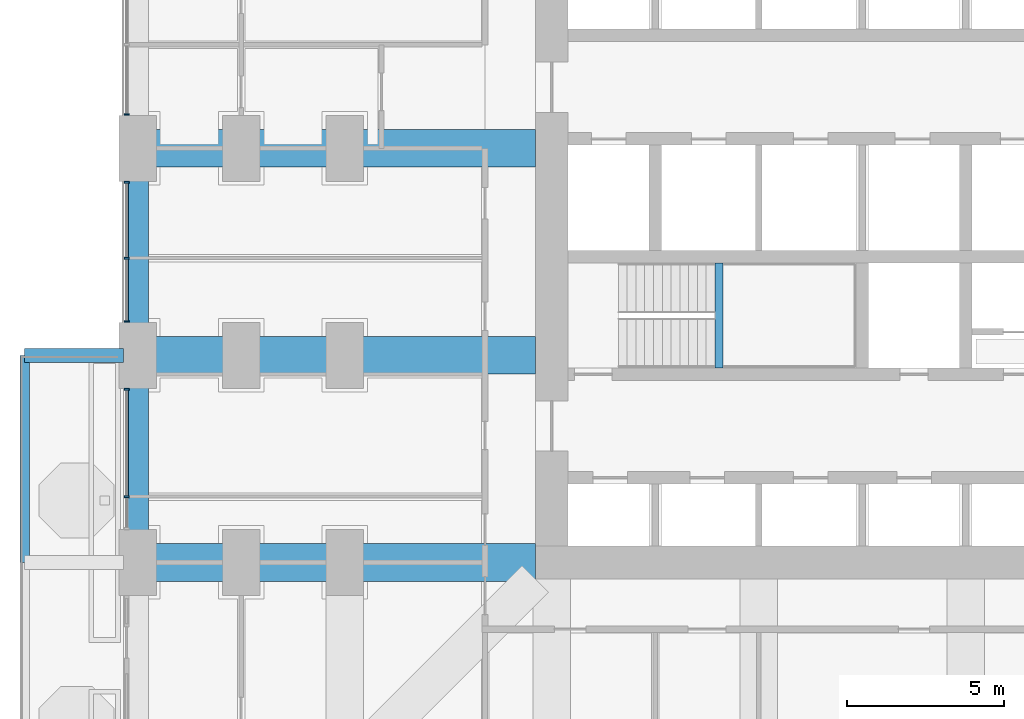
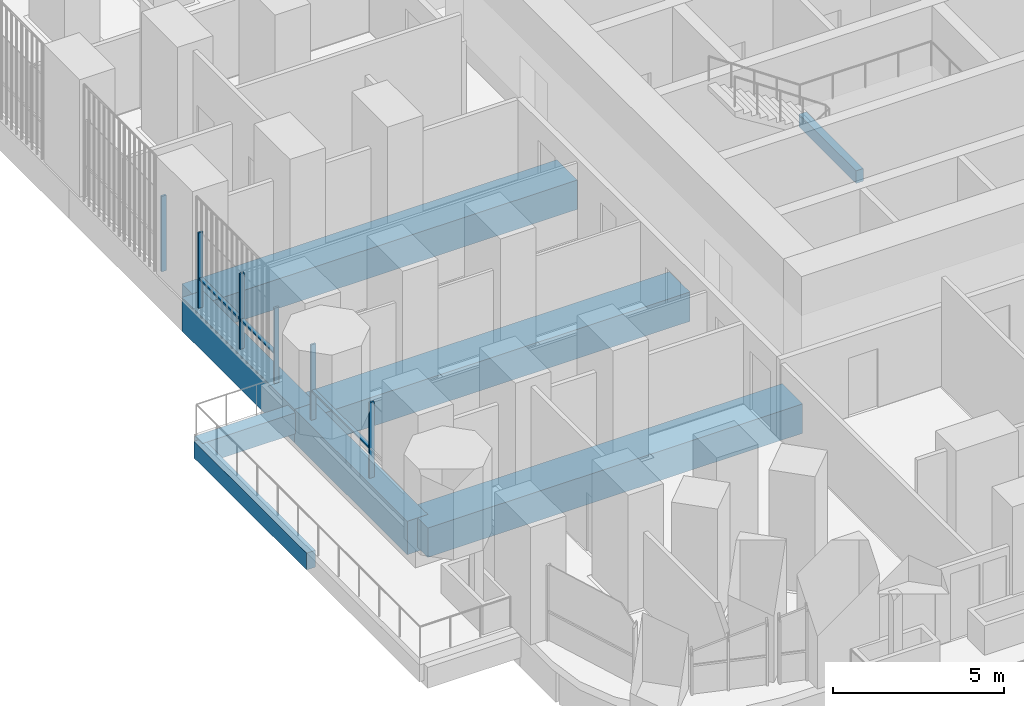
# One storey, part 4 of 27: 9 members, 8 beams, 3 elements without a shape of their own.
"""IFC4 building model written with IfcOpenShell, lengths in metres."""

from ifc_helpers import new_model, si_unit, direction, frame, origin, origin_2d, place, context, subcontext, project, spatial, rectangle, extrude, material, material_profile, profile_set, type_object, element, aggregate, save


model = new_model("IFC4")

# Units and contexts
model_context = context("Model", 3, precision=1e-05, world=origin(), true_north=direction((0.0, 1.0)))
body_context = subcontext(model_context, "Body", "Model", "MODEL_VIEW")
ifc_project = project(units=[si_unit("LENGTHUNIT", "METRE"), si_unit("AREAUNIT", "SQUARE_METRE"), si_unit("VOLUMEUNIT", "CUBIC_METRE"), si_unit("PLANEANGLEUNIT", "RADIAN"), si_unit("MASSUNIT", "GRAM", prefix="KILO")], contexts=[model_context])

# Site, building, storey
site_placement = place(None, origin())
site = spatial("IfcSite", under=ifc_project, at=site_placement, CompositionType="ELEMENT")
building_placement = place(site_placement, origin())
building = spatial("IfcBuilding", under=site, at=building_placement, Name="Cobogo Forest Laboratory Tower", CompositionType="ELEMENT")
storey_placement = place(building_placement, frame((0.0, 0.0, 46.5)))
storey = spatial("IfcBuildingStorey", under=building, at=storey_placement, Name="L10", CompositionType="ELEMENT", Elevation=46.5)

# Beams
ifc_material_1 = material(Name="Concrete HA-40 (C40/50)", Category="concrete")
ifc_material_profile_1 = material_profile(ifc_material_1, rectangle(XDim=0.449951171875, YDim=0.75, at=origin_2d()), Name="RC 450x750")
ifc_profile_set_1 = profile_set([ifc_material_profile_1], Name="Concrete HA-40 (C40/50)")
beam_type_1 = type_object("IfcBeamType", Name="Balcony cantilever beam 450x750", PredefinedType="BEAM", material=ifc_profile_set_1)
beam_1_placement = place(storey_placement, frame((-0.449951171875, 19.800048828125, -0.625), z_axis=(-1.0, 0.0, 0.0), x_axis=(0.0, -1.0, 0.0)))
element("IfcBeam", 1, at=beam_1_placement, inside=storey, type_object=beam_type_1, Name="CB1 BAL-W1-C3 L10", PredefinedType="BEAM", context=body_context, shape_type="SweptSolid", body=[
    extrude(rectangle(XDim=0.449951171875, YDim=0.75, at=origin_2d()), origin(), (0.0, 0.0, 1.0), 3.150146484375),
])
ifc_material_profile_2 = material_profile(ifc_material_1, rectangle(XDim=0.300048828125, YDim=0.60009765625, at=origin_2d()), Name="RC 300x600")
ifc_profile_set_2 = profile_set([ifc_material_profile_2], Name="Concrete HA-40 (C40/50)")
beam_type_2 = type_object("IfcBeamType", Name="Balcony edge beam 300x600", PredefinedType="BEAM", material=ifc_profile_set_2)
beam_2_placement = place(storey_placement, frame((-3.60009765625, 13.199951171875, -0.550048828125), z_axis=(0.0, 1.0, 0.0), x_axis=(-1.0, 0.0, 0.0)))
element("IfcBeam", 2, at=beam_2_placement, inside=storey, type_object=beam_type_2, Name="BB1 BAL-W1-T2 L10", PredefinedType="BEAM", context=body_context, shape_type="SweptSolid", body=[
    extrude(rectangle(XDim=0.300048828125, YDim=0.60009765625, at=origin_2d()), origin(), (0.0, 0.0, 1.0), 6.60009765625),
])
ifc_material_profile_3 = material_profile(ifc_material_1, rectangle(XDim=0.25, YDim=0.449951171875, at=origin_2d()), Name="RC 250x450")
ifc_profile_set_3 = profile_set([ifc_material_profile_3], Name="Concrete HA-40 (C40/50)")
beam_type_3 = type_object("IfcBeamType", Name="LB1 landing beam 250x450", PredefinedType="BEAM", material=ifc_profile_set_3)
beam_3_placement = place(storey_placement, frame((18.530029296875, 19.39990234375, 1.675048828125), z_axis=(0.0, 1.0, 0.0), x_axis=(-1.0, 0.0, 0.0)))
element("IfcBeam", 3, at=beam_3_placement, inside=storey, type_object=beam_type_3, Name="Landing beam ST1 L10", PredefinedType="BEAM", context=body_context, shape_type="SweptSolid", body=[
    extrude(rectangle(XDim=0.25, YDim=0.449951171875, at=origin_2d()), origin(), (0.0, 0.0, 1.0), 3.35009765625),
])
ifc_material_profile_4 = material_profile(ifc_material_1, rectangle(XDim=1.199951171875, YDim=1.050048828125, at=origin_2d()), Name="RC 1200x1050")
ifc_profile_set_4 = profile_set([ifc_material_profile_4], Name="Concrete HA-40 (C40/50)")
beam_type_4 = type_object("IfcBeamType", Name="Laboratory floor wide beam 1200x1050", PredefinedType="BEAM", material=ifc_profile_set_4)
for number, where, z_axis, x_axis, name in (
    (4, (12.675048828125, 13.199951171875, -0.824951171875), (-1.0, 0.0, 0.0), (0.0, -1.0, 0.0), "RB1 R-C-W L10"),
    (5, (12.675048828125, 19.800048828125, -0.824951171875), (-1.0, 0.0, 0.0), (0.0, -1.0, 0.0), "RB1 R-D-W L10"),
    (6, (12.675048828125, 26.39990234375, -0.824951171875), (-1.0, 0.0, 0.0), (0.0, -1.0, 0.0), "RB1 R-E-W L10"),
):
    element("IfcBeam", number, at=place(storey_placement, frame(where, z_axis=z_axis, x_axis=x_axis)), inside=storey, type_object=beam_type_4, Name=name, PredefinedType="BEAM", context=body_context, shape_type="SweptSolid", body=[
        extrude(rectangle(XDim=1.199951171875, YDim=1.050048828125, at=origin_2d()), origin(), (0.0, 0.0, 1.0), 12.675048828125),
    ])

# Curtain wall, member
ifc_material_2 = material(Name="Aluminium curtain wall", Category="aluminium")
curtain_wall_type = type_object("IfcCurtainWallType", Name="CW-1 unitised curtain wall, clear glazing, laboratory floors zones A and B", PredefinedType="USERDEFINED", material=ifc_material_2)
curtain_wall_1_placement = place(storey_placement, origin())
curtain_wall_1 = element("IfcCurtainWall", 7, at=curtain_wall_1_placement, inside=storey, type_object=curtain_wall_type, Name="Curtain wall 28 L10", ObjectType="UNITISED CURTAIN WALL", PredefinedType="USERDEFINED")
ifc_material_3 = material(Name="Aluminium mullion", Category="aluminium")
ifc_material_profile_5 = material_profile(ifc_material_3, rectangle(XDim=0.06005859375, YDim=0.159912109375, at=origin_2d()), Name="AL 60x160")
ifc_profile_set_5 = profile_set([ifc_material_profile_5], Name="Aluminium mullion")
member_type_1 = type_object("IfcMemberType", Name="MU-1 aluminium mullion 60x160", PredefinedType="MULLION", material=ifc_profile_set_5)
member_1_placement = place(storey_placement, frame((-0.35009765625, 27.47998046875, 0.0), z_axis=(0.0, 0.0, 1.0), x_axis=(0.0, -1.0, 0.0)))
member_1 = element("IfcMember", 8, at=member_1_placement, type_object=member_type_1, Name="CW-1 mullion 3", PredefinedType="MULLION", context=body_context, shape_type="SweptSolid", body=[
    extrude(rectangle(XDim=0.06005859375, YDim=0.159912109375, at=origin_2d()), origin(), (0.0, 0.0, 1.0), 2.699951171875),
])
aggregate(curtain_wall_1, [member_1])

# Curtain wall, members
curtain_wall_2_placement = place(storey_placement, origin())
curtain_wall_2 = element("IfcCurtainWall", 9, at=curtain_wall_2_placement, inside=storey, type_object=curtain_wall_type, Name="Curtain wall 29 L10", ObjectType="UNITISED CURTAIN WALL", PredefinedType="USERDEFINED")
member_2_placement = place(storey_placement, frame((-0.35009765625, 25.320068359375, 0.0), z_axis=(0.0, 0.0, 1.0), x_axis=(0.0, -1.0, 0.0)))
member_2 = element("IfcMember", 10, at=member_2_placement, type_object=member_type_1, Name="CW-1 mullion 1", PredefinedType="MULLION", context=body_context, shape_type="SweptSolid", body=[
    extrude(rectangle(XDim=0.06005859375, YDim=0.159912109375, at=origin_2d()), origin(), (0.0, 0.0, 1.0), 2.699951171875),
])
member_3_placement = place(storey_placement, frame((-0.35009765625, 22.89990234375, 0.0), z_axis=(0.0, 0.0, 1.0), x_axis=(0.0, -1.0, 0.0)))
member_3 = element("IfcMember", 11, at=member_3_placement, type_object=member_type_1, Name="CW-1 mullion 2", PredefinedType="MULLION", context=body_context, shape_type="SweptSolid", body=[
    extrude(rectangle(XDim=0.06005859375, YDim=0.159912109375, at=origin_2d()), origin(), (0.0, 0.0, 1.0), 2.699951171875),
])
member_4_placement = place(storey_placement, frame((-0.35009765625, 20.8798828125, 0.0), z_axis=(0.0, 0.0, 1.0), x_axis=(0.0, -1.0, 0.0)))
member_4 = element("IfcMember", 12, at=member_4_placement, type_object=member_type_1, Name="CW-1 mullion 3", PredefinedType="MULLION", context=body_context, shape_type="SweptSolid", body=[
    extrude(rectangle(XDim=0.06005859375, YDim=0.159912109375, at=origin_2d()), origin(), (0.0, 0.0, 1.0), 2.699951171875),
])

curtain_wall_3_placement = place(storey_placement, origin())
curtain_wall_3 = element("IfcCurtainWall", 13, at=curtain_wall_3_placement, inside=storey, type_object=curtain_wall_type, Name="Curtain wall 30 L10", ObjectType="UNITISED CURTAIN WALL", PredefinedType="USERDEFINED")
member_5_placement = place(storey_placement, frame((-0.35009765625, 18.719970703125, 0.0), z_axis=(0.0, 0.0, 1.0), x_axis=(0.0, -1.0, 0.0)))
member_5 = element("IfcMember", 14, at=member_5_placement, type_object=member_type_1, Name="CW-1 mullion 1", PredefinedType="MULLION", context=body_context, shape_type="SweptSolid", body=[
    extrude(rectangle(XDim=0.06005859375, YDim=0.159912109375, at=origin_2d()), origin(), (0.0, 0.0, 1.0), 2.699951171875),
])
member_6_placement = place(storey_placement, frame((-0.35009765625, 15.300048828125, 0.0), z_axis=(0.0, 0.0, 1.0), x_axis=(0.0, -1.0, 0.0)))
member_6 = element("IfcMember", 15, at=member_6_placement, type_object=member_type_1, Name="CW-1 mullion 2", PredefinedType="MULLION", context=body_context, shape_type="SweptSolid", body=[
    extrude(rectangle(XDim=0.06005859375, YDim=0.159912109375, at=origin_2d()), origin(), (0.0, 0.0, 1.0), 2.699951171875),
])

# Beams
ifc_material_profile_6 = material_profile(ifc_material_1, rectangle(XDim=0.699951171875, YDim=1.199951171875, at=origin_2d()), Name="RC 700x1200")
ifc_profile_set_6 = profile_set([ifc_material_profile_6], Name="Concrete HA-40 (C40/50)")
beam_type_5 = type_object("IfcBeamType", Name="Perimeter edge beam 700x1200", PredefinedType="BEAM", material=ifc_profile_set_6)
beam_4_placement = place(storey_placement, frame((0.0, 13.199951171875, -0.89990234375), z_axis=(0.0, 1.0, 0.0), x_axis=(-1.0, 0.0, 0.0)))
element("IfcBeam", 16, at=beam_4_placement, inside=storey, type_object=beam_type_5, Name="EB1 E-W2 L10", PredefinedType="BEAM", context=body_context, shape_type="SweptSolid", body=[
    extrude(rectangle(XDim=0.699951171875, YDim=1.199951171875, at=origin_2d()), origin(), (0.0, 0.0, 1.0), 6.60009765625),
])
beam_5_placement = place(storey_placement, frame((0.0, 19.800048828125, -0.89990234375), z_axis=(0.0, 1.0, 0.0), x_axis=(-1.0, 0.0, 0.0)))
element("IfcBeam", 17, at=beam_5_placement, inside=storey, type_object=beam_type_5, Name="EB1 E-W3 L10", PredefinedType="BEAM", context=body_context, shape_type="SweptSolid", body=[
    extrude(rectangle(XDim=0.699951171875, YDim=1.199951171875, at=origin_2d()), origin(), (0.0, 0.0, 1.0), 6.599853515625),
])

# Member
ifc_material_4 = material(Name="Aluminium transom", Category="aluminium")
ifc_material_profile_7 = material_profile(ifc_material_4, rectangle(XDim=0.1201171875, YDim=0.06005859375, at=origin_2d()), Name="AL 60x120")
ifc_profile_set_7 = profile_set([ifc_material_profile_7], Name="Aluminium transom")
member_type_2 = type_object("IfcMemberType", Name="TR-1 aluminium transom 60x120", PredefinedType="USERDEFINED", material=ifc_profile_set_7)
member_7_placement = place(storey_placement, frame((-0.35009765625, 25.2900390625, 1.050048828125), z_axis=(0.0, -1.0, 0.0), x_axis=(1.0, 0.0, 0.0)))
member_7 = element("IfcMember", 18, at=member_7_placement, type_object=member_type_2, Name="CW-1 transom 1.1", ObjectType="TRANSOM", PredefinedType="USERDEFINED", context=body_context, shape_type="SweptSolid", body=[
    extrude(rectangle(XDim=0.1201171875, YDim=0.06005859375, at=origin_2d()), origin(), (0.0, 0.0, 1.0), 2.360107421875),
])

member_8_placement = place(storey_placement, frame((-0.35009765625, 22.8701171875, 1.050048828125), z_axis=(0.0, -1.0, 0.0), x_axis=(1.0, 0.0, 0.0)))
member_8 = element("IfcMember", 19, at=member_8_placement, type_object=member_type_2, Name="CW-1 transom 2.1", ObjectType="TRANSOM", PredefinedType="USERDEFINED", context=body_context, shape_type="SweptSolid", body=[
    extrude(rectangle(XDim=0.1201171875, YDim=0.06005859375, at=origin_2d()), origin(), (0.0, 0.0, 1.0), 1.960205078125),
])

aggregate(curtain_wall_2, [member_2, member_3, member_4, member_7, member_8])

member_9_placement = place(storey_placement, frame((-0.35009765625, 18.68994140625, 1.050048828125), z_axis=(0.0, -1.0, 0.0), x_axis=(1.0, 0.0, 0.0)))
member_9 = element("IfcMember", 20, at=member_9_placement, type_object=member_type_2, Name="CW-1 transom 1.1", ObjectType="TRANSOM", PredefinedType="USERDEFINED", context=body_context, shape_type="SweptSolid", body=[
    extrude(rectangle(XDim=0.1201171875, YDim=0.06005859375, at=origin_2d()), origin(), (0.0, 0.0, 1.0), 3.35986328125),
])

aggregate(curtain_wall_3, [member_5, member_6, member_9])

save(model, "model.ifc")
